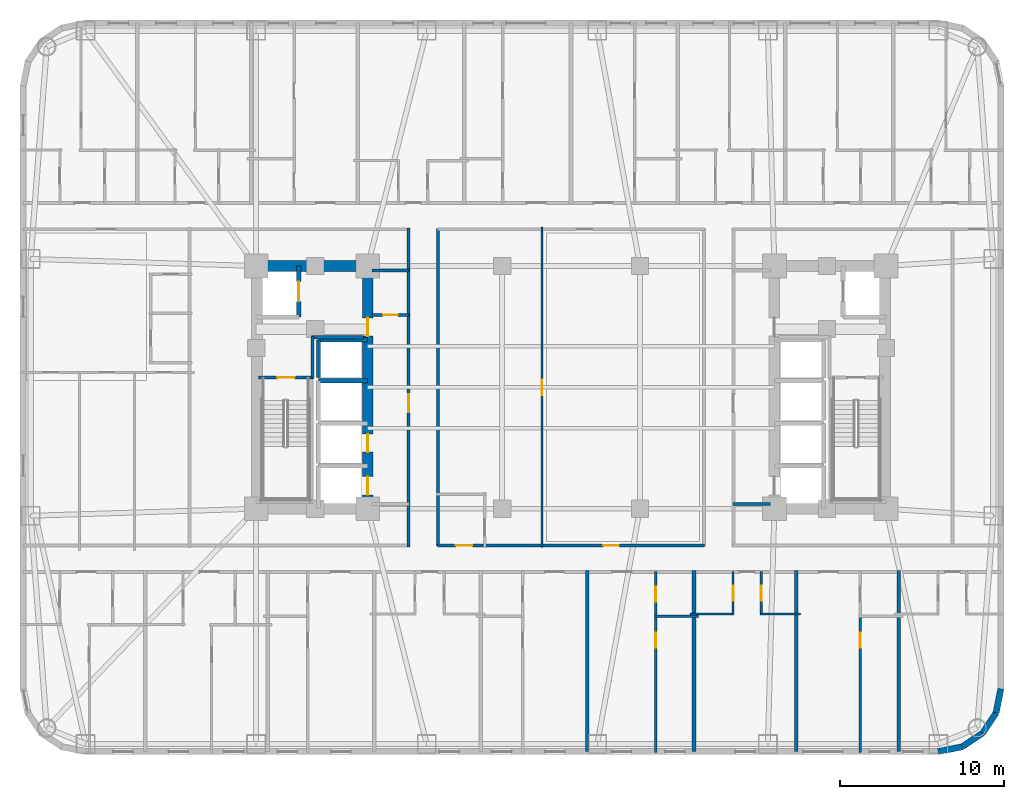
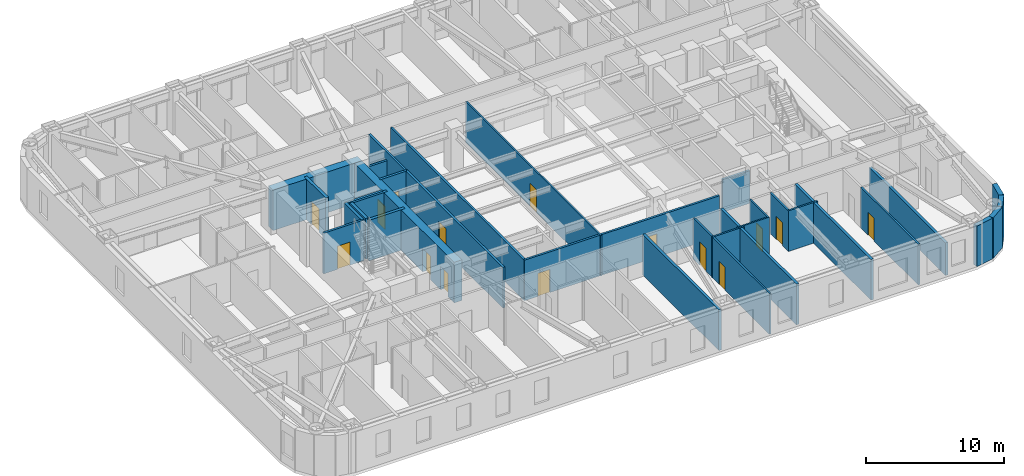
# One storey, part 5 of 11: 32 walls, 15 doors, 15 openings.
"""IFC4 building model written with IfcOpenShell, lengths in metres."""

import ifcopenshell
import ifcopenshell.guid

model = None  # the IFC model being written
_history = None  # IfcOwnerHistory: only IFC2X3 demands one
_inside = {}  # id of a spatial element -> (the spatial element, [elements in it])
_under = {}  # id of a project, library or spatial element -> (it, [spatial elements below it])
_declared = {}  # id of a project -> (the project, [libraries it declares])
_typed = {}  # id of a type object -> (the type object, [elements of that type])
_made_of = {}  # id of a material, layer set ... -> (it, [elements and type objects made of it])


def new_model(schema):
    """Start an empty IFC model of exactly this schema.

    Asked for "IFC4X3", IfcOpenShell would pick the latest addendum, in which some entities
    have other attributes; the version numbers below select the first issue.
    IFC2X3 requires an IfcOwnerHistory on every rooted entity: one is made here for all.
    """
    global model, _history
    if schema == "IFC4X3":
        model = ifcopenshell.file(schema_version=(4, 3, 0, 0))
    else:
        model = ifcopenshell.file(schema=schema)
    _inside.clear()
    _under.clear()
    _declared.clear()
    _typed.clear()
    _made_of.clear()
    _history = None
    if model.schema == "IFC2X3":
        org = make("IfcOrganization", Name="unknown")
        user = make(
            "IfcPersonAndOrganization",
            ThePerson=make("IfcPerson", FamilyName="unknown"),
            TheOrganization=org,
        )
        app = make(
            "IfcApplication",
            ApplicationDeveloper=org,
            Version="unknown",
            ApplicationFullName="unknown",
            ApplicationIdentifier="unknown",
        )
        _history = make(
            "IfcOwnerHistory",
            OwningUser=user,
            OwningApplication=app,
            ChangeAction="ADDED",
            CreationDate=0,
        )
    return model


def make(cls, **values):
    """One entity of the class cls with the attributes given. An attribute that is None is left unset."""
    return model.create_entity(
        cls, **{name: value for name, value in values.items() if value is not None}
    )


def rooted(cls, **values):
    """An entity with a GlobalId (a new one), such as an element, a storey or a relation."""
    return make(cls, GlobalId=ifcopenshell.guid.new(), OwnerHistory=_history, **values)


def si_unit(unit_type, name, prefix=None):
    """IfcSIUnit, for example si_unit("LENGTHUNIT", "METRE", prefix="MILLI")."""
    return make("IfcSIUnit", UnitType=unit_type, Prefix=prefix, Name=name)


def assignment(units):
    """IfcUnitAssignment: the units of a project."""
    return None if units is None else make("IfcUnitAssignment", Units=units)


def point(xyz):
    """IfcCartesianPoint."""
    return None if xyz is None else make("IfcCartesianPoint", Coordinates=xyz)


def direction(xyz):
    """IfcDirection."""
    return None if xyz is None else make("IfcDirection", DirectionRatios=xyz)


def frame(location, z_axis=None, x_axis=None):
    """IfcAxis2Placement3D, a coordinate frame: its origin and axes. An axis left out is left unset."""
    return make(
        "IfcAxis2Placement3D",
        Location=point(location),
        Axis=direction(z_axis),
        RefDirection=direction(x_axis),
    )


def frame_2d(location, x_axis=None):
    """IfcAxis2Placement2D, a coordinate frame in the plane: its origin and x axis."""
    return make(
        "IfcAxis2Placement2D", Location=point(location), RefDirection=direction(x_axis)
    )


def origin():
    """The frame at (0, 0, 0) with its axes left unset."""
    return frame((0.0, 0.0, 0.0))


def place(relative_to, where):
    """IfcLocalPlacement: puts the frame where relative to a parent placement (None: the world)."""
    return make(
        "IfcLocalPlacement", PlacementRelTo=relative_to, RelativePlacement=where
    )


def context(
    kind, dimensions, precision=None, world=None, true_north=None, identifier=None
):
    """IfcGeometricRepresentationContext, for example the 3D "Model" context."""
    return make(
        "IfcGeometricRepresentationContext",
        ContextIdentifier=identifier,
        ContextType=kind,
        CoordinateSpaceDimension=dimensions,
        Precision=precision,
        WorldCoordinateSystem=world,
        TrueNorth=true_north,
    )


def subcontext(parent, identifier, kind, view, scale=None):
    """IfcGeometricRepresentationSubContext, for example "Body" below "Model"."""
    return make(
        "IfcGeometricRepresentationSubContext",
        ContextIdentifier=identifier,
        ContextType=kind,
        ParentContext=parent,
        TargetScale=scale,
        TargetView=view,
    )


def project(units=None, contexts=None):
    """IfcProject with its units and contexts."""
    return rooted(
        "IfcProject",
        Name="project",
        RepresentationContexts=contexts,
        UnitsInContext=assignment(units),
    )


def spatial(cls, under=None, at=None, **own):
    """A site, building, storey or space (cls), placed at a placement, below another one or the project."""
    s = rooted(cls, ObjectPlacement=at, **own)
    if under is not None:
        _under.setdefault(under.id(), (under, []))[1].append(s)
    return s


def profile(cls, at=None, kind="AREA", **sizes):
    """A parametric profile (cls). Its sizes go by their IFC names, for example OverallWidth=200.0."""
    return make(cls, ProfileType=kind, Position=at, **sizes)


def rectangle(**sizes):
    """IfcRectangleProfileDef."""
    return profile("IfcRectangleProfileDef", **sizes)


def extrude(swept, where, along, depth):
    """IfcExtrudedAreaSolid: the profile swept, set in the frame where, extruded along a direction by depth."""
    return make(
        "IfcExtrudedAreaSolid",
        SweptArea=swept,
        Position=where,
        ExtrudedDirection=direction(along),
        Depth=depth,
    )


def shape(context_of_items, identifier, shape_type, items):
    """IfcShapeRepresentation: the items that make up one representation, for example the "Body"."""
    return make(
        "IfcShapeRepresentation",
        ContextOfItems=context_of_items,
        RepresentationIdentifier=identifier,
        RepresentationType=shape_type,
        Items=items,
    )


def material(Name=None, Category=None):
    """IfcMaterial."""
    return make("IfcMaterial", Name=Name, Category=Category)


def layer(
    of_material, thickness, ventilated=None, Name=None, Category=None, Priority=None
):
    """IfcMaterialLayer: one layer of a wall or slab, of a material (None: an air gap)."""
    return make(
        "IfcMaterialLayer",
        Material=of_material,
        LayerThickness=thickness,
        IsVentilated=ventilated,
        Name=Name,
        Category=Category,
        Priority=Priority,
    )


def layer_set(layers, Name=None):
    """IfcMaterialLayerSet."""
    return make("IfcMaterialLayerSet", MaterialLayers=layers, LayerSetName=Name)


def made_of(thing, what):
    """Note that an element or type object is made of a material, layer set ...; save() writes the relation."""
    if what is not None:
        _made_of.setdefault(what.id(), (what, []))[1].append(thing)
    return thing


def type_object(cls, material=None, **own):
    """A type object (cls), such as IfcWallType, which elements share."""
    return made_of(rooted(cls, **own), material)


def element(
    cls,
    number,
    at=None,
    inside=None,
    cuts=None,
    type_object=None,
    material=None,
    context=None,
    identifier="Body",
    shape_type=None,
    held_by="IfcProductDefinitionShape",
    body=None,
    shapes=None,
    **own,
):
    """One element of the class cls, such as IfcWall. Its Tag is "e" and its number.

    at: its placement. inside: the storey or other place that contains it. cuts: it is an
    opening in that element (IfcRelVoidsElement). A single representation is given by context,
    identifier, shape_type and body (its items); several are given by shapes. held_by: the class
    of the entity that holds the representations. save() writes the other relations.
    """
    e = rooted(cls, Tag="e%d" % number, ObjectPlacement=at, **own)
    if body is not None:
        shapes = [shape(context, identifier, shape_type, body)]
    if shapes is not None:
        e.Representation = make(held_by, Representations=shapes)
    if inside is not None:
        _inside.setdefault(inside.id(), (inside, []))[1].append(e)
    if cuts is not None:
        rooted(
            "IfcRelVoidsElement", RelatingBuildingElement=cuts, RelatedOpeningElement=e
        )
    if type_object is not None:
        _typed.setdefault(type_object.id(), (type_object, []))[1].append(e)
    return made_of(e, material)


def fill(opening, filler):
    """IfcRelFillsElement: the door or window that sits in an opening."""
    return rooted(
        "IfcRelFillsElement",
        RelatingOpeningElement=opening,
        RelatedBuildingElement=filler,
    )


def aggregate(whole, parts):
    """IfcRelAggregates: a whole, such as a stair, and the parts it consists of."""
    return rooted("IfcRelAggregates", RelatingObject=whole, RelatedObjects=parts)


def save(model, path):
    """Write the relations noted so far, then the file.

    IfcRelAggregates (storeys below a building ...), IfcRelContainedInSpatialStructure (elements
    in a storey), IfcRelDefinesByType, IfcRelAssociatesMaterial and IfcRelDeclares: one each for
    every whole, place, type object, material and project.
    """
    for whole, parts in _under.values():
        aggregate(whole, parts)
    for where, things in _inside.values():
        rooted(
            "IfcRelContainedInSpatialStructure",
            RelatedElements=things,
            RelatingStructure=where,
        )
    for kind, things in _typed.values():
        rooted("IfcRelDefinesByType", RelatedObjects=things, RelatingType=kind)
    for what, things in _made_of.values():
        rooted("IfcRelAssociatesMaterial", RelatedObjects=things, RelatingMaterial=what)
    for by, libraries in _declared.values():
        rooted("IfcRelDeclares", RelatingContext=by, RelatedDefinitions=libraries)
    model.write(path)


model = new_model("IFC4")

# Units and contexts
model_context = context("Model", 3, precision=1e-05, world=origin(), true_north=direction((0.0, 1.0)))
body_context = subcontext(model_context, "Body", "Model", "MODEL_VIEW")
ifc_project = project(units=[si_unit("LENGTHUNIT", "METRE"), si_unit("AREAUNIT", "SQUARE_METRE"), si_unit("VOLUMEUNIT", "CUBIC_METRE"), si_unit("PLANEANGLEUNIT", "RADIAN"), si_unit("MASSUNIT", "GRAM", prefix="KILO")], contexts=[model_context])

# Site, building, storey
site_placement = place(None, origin())
site = spatial("IfcSite", under=ifc_project, at=site_placement, CompositionType="ELEMENT")
building_placement = place(site_placement, origin())
building = spatial("IfcBuilding", under=site, at=building_placement, Name="Voryun Gate Residences", CompositionType="ELEMENT")
storey_placement = place(building_placement, frame((0.0, 0.0, 76.699951171875)))
storey = spatial("IfcBuildingStorey", under=building, at=storey_placement, Name="L18", CompositionType="ELEMENT", Elevation=76.699951171875)

# Wall
ifc_material_1 = material(Name="Concrete C60/75", Category="concrete")
ifc_layer_1 = layer(ifc_material_1, 0.64990234375, Name="CW_CORE_650")
ifc_layer_set_1 = layer_set([ifc_layer_1], Name="Concrete C60/75")
wall_type_1 = type_object("IfcWallType", Name="CW_CORE_650", PredefinedType="SHEAR", material=ifc_layer_set_1)
wall_1_placement = place(storey_placement, frame((-19.52490234375, 7.39990234375, 0.0), z_axis=(0.0, 0.0, 1.0), x_axis=(1.0, 0.0, 0.0)))
element("IfcWall", 1, at=wall_1_placement, inside=storey, type_object=wall_type_1, Name="L18 Core shear wall CW-L18-WN", PredefinedType="SHEAR", context=body_context, shape_type="SweptSolid", body=[
    extrude(rectangle(XDim=7.449951171875, YDim=0.64990234375, at=frame_2d((3.72509765625, 0.0))), origin(), (0.0, 0.0, 1.0), 3.60009765625),
])

# Wall, openings, doors
wall_2_placement = place(storey_placement, frame((-12.39990234375, -7.39990234375, 0.0), z_axis=(0.0, 0.0, 1.0), x_axis=(0.0, 1.0, 0.0)))
wall_2 = element("IfcWall", 2, at=wall_2_placement, inside=storey, type_object=wall_type_1, Name="L18 Core shear wall CW-L18-WE", PredefinedType="SHEAR", context=body_context, shape_type="SweptSolid", body=[
    extrude(rectangle(XDim=14.7998046875, YDim=0.64990234375, at=frame_2d((7.39990234375, 0.0))), origin(), (0.0, 0.0, 1.0), 3.60009765625),
])
opening_1_placement = place(wall_2_placement, frame((0.85009765625, 0.0, 0.0)))
opening_1 = element("IfcOpeningElement", 3, at=opening_1_placement, cuts=wall_2, Name="Opening LD2", PredefinedType="OPENING", context=body_context, shape_type="SweptSolid", body=[
    extrude(rectangle(XDim=1.10009765625, YDim=2.050048828125, at=frame_2d((0.550048828125, 1.02490234375))), frame((0.0, 0.3349609375, 0.0), z_axis=(0.0, -1.0, 0.0), x_axis=(1.0, 0.0, 0.0)), (0.0, 0.0, 1.0), 0.669921875),
])
opening_2_placement = place(wall_2_placement, frame((3.449951171875, 0.0, 0.0)))
opening_2 = element("IfcOpeningElement", 4, at=opening_2_placement, cuts=wall_2, Name="Opening LD2", PredefinedType="OPENING", context=body_context, shape_type="SweptSolid", body=[
    extrude(rectangle(XDim=1.10009765625, YDim=2.050048828125, at=frame_2d((0.550048828125, 1.02490234375))), frame((0.0, 0.3349609375, 0.0), z_axis=(0.0, -1.0, 0.0), x_axis=(1.0, 0.0, 0.0)), (0.0, 0.0, 1.0), 0.669921875),
])
opening_3_placement = place(wall_2_placement, frame((10.530029296875, 0.0, 0.0)))
opening_3 = element("IfcOpeningElement", 5, at=opening_3_placement, cuts=wall_2, Name="Opening D-FD60-2", PredefinedType="OPENING", context=body_context, shape_type="SweptSolid", body=[
    extrude(rectangle(XDim=1.10009765625, YDim=2.050048828125, at=frame_2d((0.550048828125, 1.02490234375))), frame((0.0, 0.3349609375, 0.0), z_axis=(0.0, -1.0, 0.0), x_axis=(1.0, 0.0, 0.0)), (0.0, 0.0, 1.0), 0.669921875),
])
ifc_material_2 = material(Name="Painted steel fire door", Category="steel")
door_type_1 = type_object("IfcDoorType", Name="DR_FD60_FFLOB_1100", OperationType="NOTDEFINED", PredefinedType="DOOR", material=ifc_material_2)
door_1_placement = place(opening_3_placement, origin())
door_1 = element("IfcDoor", 6, at=door_1_placement, inside=storey, type_object=door_type_1, Name="Door DR-L18-CLOB-W", OperationType="SINGLE_SWING_LEFT", OverallHeight=2.050048828125, OverallWidth=1.10009765625, PredefinedType="DOOR", context=body_context, shape_type="SweptSolid", body=[
    extrude(rectangle(XDim=1.10009765625, YDim=2.050048828125, at=frame_2d((0.550048828125, 1.02490234375))), frame((0.0, 0.02490234375, 0.0), z_axis=(0.0, -1.0, 0.0), x_axis=(1.0, 0.0, 0.0)), (0.0, 0.0, 1.0), 0.050048828125),
])
fill(opening_3, door_1)
ifc_material_3 = material(Name="Anodised aluminium", Category="aluminium")
door_type_2 = type_object("IfcDoorType", Name="DR_LD_PASS_1100", OperationType="NOTDEFINED", PredefinedType="DOOR", material=ifc_material_3)
door_2_placement = place(opening_1_placement, origin())
door_2 = element("IfcDoor", 7, at=door_2_placement, inside=storey, type_object=door_type_2, Name="Lift EL-P1 sliding landing door L18", OperationType="SLIDING_TO_LEFT", OverallHeight=2.050048828125, OverallWidth=1.10009765625, PredefinedType="DOOR", context=body_context, shape_type="SweptSolid", body=[
    extrude(rectangle(XDim=1.10009765625, YDim=2.050048828125, at=frame_2d((0.550048828125, 1.02490234375))), frame((0.0, 0.02490234375, 0.0), z_axis=(0.0, -1.0, 0.0), x_axis=(1.0, 0.0, 0.0)), (0.0, 0.0, 1.0), 0.050048828125),
])
fill(opening_1, door_2)
door_3_placement = place(opening_2_placement, origin())
door_3 = element("IfcDoor", 8, at=door_3_placement, inside=storey, type_object=door_type_2, Name="Lift EL-P2 sliding landing door L18", OperationType="SLIDING_TO_LEFT", OverallHeight=2.050048828125, OverallWidth=1.10009765625, PredefinedType="DOOR", context=body_context, shape_type="SweptSolid", body=[
    extrude(rectangle(XDim=1.10009765625, YDim=2.050048828125, at=frame_2d((0.550048828125, 1.02490234375))), frame((0.0, 0.02490234375, 0.0), z_axis=(0.0, -1.0, 0.0), x_axis=(1.0, 0.0, 0.0)), (0.0, 0.0, 1.0), 0.050048828125),
])
fill(opening_2, door_3)

# Wall, opening, door
ifc_material_4 = material(Name="Gypsum acoustic fireboard")
ifc_layer_2 = layer(ifc_material_4, 0.179931640625, Name="W_CORR_RATED_180")
ifc_layer_set_2 = layer_set([ifc_layer_2], Name="Gypsum acoustic fireboard")
wall_type_2 = type_object("IfcWallType", Name="W_CORR_RATED_180", PredefinedType="PARTITIONING", material=ifc_layer_set_2)
wall_3_placement = place(storey_placement, frame((-19.06005859375, 0.60009765625, 0.0), z_axis=(0.0, 0.0, 1.0), x_axis=(1.0, 0.0, 0.0)))
wall_3 = element("IfcWall", 9, at=wall_3_placement, inside=storey, type_object=wall_type_2, Name="Partition wall WP-L18-STV-W", PredefinedType="PARTITIONING", context=body_context, shape_type="SweptSolid", body=[
    extrude(rectangle(XDim=3.360107421875, YDim=0.179931640625, at=frame_2d((1.68017578125, 0.0))), origin(), (0.0, 0.0, 1.0), 3.60009765625),
])
opening_4_placement = place(wall_3_placement, frame((1.155029296875, 0.0, 0.0)))
opening_4 = element("IfcOpeningElement", 10, at=opening_4_placement, cuts=wall_3, Name="Opening D-FD60-1", PredefinedType="OPENING", context=body_context, shape_type="SweptSolid", body=[
    extrude(rectangle(XDim=1.050048828125, YDim=2.050048828125, at=frame_2d((0.52490234375, 1.02490234375))), frame((0.0, 0.099853515625, 0.0), z_axis=(0.0, -1.0, 0.0), x_axis=(1.0, 0.0, 0.0)), (0.0, 0.0, 1.0), 0.199951171875),
])
ifc_material_5 = material(Name="Painted steel fire door", Category="steel")
door_type_3 = type_object("IfcDoorType", Name="DR_FD60_STAIR_1050", OperationType="NOTDEFINED", PredefinedType="DOOR", material=ifc_material_5)
door_4_placement = place(opening_4_placement, origin())
door_4 = element("IfcDoor", 11, at=door_4_placement, inside=storey, type_object=door_type_3, Name="Door DR-L18-ST-W", OperationType="SINGLE_SWING_LEFT", OverallHeight=2.050048828125, OverallWidth=1.050048828125, PredefinedType="DOOR", context=body_context, shape_type="SweptSolid", body=[
    extrude(rectangle(XDim=1.050048828125, YDim=2.050048828125, at=frame_2d((0.52490234375, 1.02490234375))), frame((0.0, 0.02490234375, 0.0), z_axis=(0.0, -1.0, 0.0), x_axis=(1.0, 0.0, 0.0)), (0.0, 0.0, 1.0), 0.050048828125),
])
fill(opening_4, door_4)

# Walls
for number, where, z_axis, x_axis, name in (
    (12, (-12.14990234375, 7.1201171875, 0.0), (0.0, 0.0, 1.0), (1.0, 0.0, 0.0), "Partition wall WP-L18-PLBN-W"),
    (13, (9.8798828125, -7.1201171875, 0.0), (0.0, 0.0, 1.0), (1.0, 0.0, 0.0), "Partition wall WP-L18-PLBS-E"),
):
    element("IfcWall", number, at=place(storey_placement, frame(where, z_axis=z_axis, x_axis=x_axis)), inside=storey, type_object=wall_type_2, Name=name, PredefinedType="PARTITIONING", context=body_context, shape_type="SweptSolid", body=[
        extrude(rectangle(XDim=2.27001953125, YDim=0.179931640625, at=frame_2d((1.135009765625, 0.0))), origin(), (0.0, 0.0, 1.0), 2.89013671875),
    ])

# Wall, opening, door
wall_4_placement = place(storey_placement, frame((-9.89990234375, -9.72998046875, 0.0), z_axis=(0.0, 0.0, 1.0), x_axis=(0.0, 1.0, 0.0)))
wall_4 = element("IfcWall", 14, at=wall_4_placement, inside=storey, type_object=wall_type_2, Name="Partition wall WP-L18-PLBW-FULL", PredefinedType="PARTITIONING", context=body_context, shape_type="SweptSolid", body=[
    extrude(rectangle(XDim=19.4599609375, YDim=0.179931640625, at=frame_2d((9.72998046875, 0.0))), origin(), (0.0, 0.0, 1.0), 3.60009765625),
])
opening_5_placement = place(wall_4_placement, frame((8.20703125, 0.0, 0.0)))
opening_5 = element("IfcOpeningElement", 15, at=opening_5_placement, cuts=wall_4, Name="Opening D-FD60-2", PredefinedType="OPENING", context=body_context, shape_type="SweptSolid", body=[
    extrude(rectangle(XDim=1.10009765625, YDim=2.050048828125, at=frame_2d((0.550048828125, 1.02490234375))), frame((0.0, 0.099853515625, 0.0), z_axis=(0.0, -1.0, 0.0), x_axis=(1.0, 0.0, 0.0)), (0.0, 0.0, 1.0), 0.199951171875),
])
door_5_placement = place(opening_5_placement, origin())
door_5 = element("IfcDoor", 16, at=door_5_placement, inside=storey, type_object=door_type_1, Name="Door DR-L18-PLBW-COR", OperationType="SINGLE_SWING_LEFT", OverallHeight=2.050048828125, OverallWidth=1.10009765625, PredefinedType="DOOR", context=body_context, shape_type="SweptSolid", body=[
    extrude(rectangle(XDim=1.10009765625, YDim=2.050048828125, at=frame_2d((0.550048828125, 1.02490234375))), frame((0.0, 0.02490234375, 0.0), z_axis=(0.0, -1.0, 0.0), x_axis=(1.0, 0.0, 0.0)), (0.0, 0.0, 1.0), 0.050048828125),
])
fill(opening_5, door_5)

# Wall, openings, doors
wall_5_placement = place(storey_placement, frame((-8.14990234375, -9.639892578125, 0.0), z_axis=(0.0, 0.0, 1.0), x_axis=(1.0, 0.0, 0.0)))
wall_5 = element("IfcWall", 17, at=wall_5_placement, inside=storey, type_object=wall_type_2, Name="Partition wall WP-L18-Z1S", PredefinedType="PARTITIONING", context=body_context, shape_type="SweptSolid", body=[
    extrude(rectangle(XDim=16.2998046875, YDim=0.179931640625, at=frame_2d((8.14990234375, 0.0))), origin(), (0.0, 0.0, 1.0), 3.60009765625),
])
opening_6_placement = place(wall_5_placement, frame((1.1298828125, 0.0, 0.0)))
opening_6 = element("IfcOpeningElement", 18, at=opening_6_placement, cuts=wall_5, Name="Opening D-AWC-1", PredefinedType="OPENING", context=body_context, shape_type="SweptSolid", body=[
    extrude(rectangle(XDim=1.0, YDim=2.050048828125, at=frame_2d((0.5, 1.02490234375))), frame((0.0, 0.099853515625, 0.0), z_axis=(0.0, -1.0, 0.0), x_axis=(1.0, 0.0, 0.0)), (0.0, 0.0, 1.0), 0.199951171875),
])
opening_7_placement = place(wall_5_placement, frame((10.1201171875, 0.0, 0.0)))
opening_7 = element("IfcOpeningElement", 19, at=opening_7_placement, cuts=wall_5, Name="Opening D-INT-1", PredefinedType="OPENING", context=body_context, shape_type="SweptSolid", body=[
    extrude(rectangle(XDim=0.949951171875, YDim=2.050048828125, at=frame_2d((0.47509765625, 1.02490234375))), frame((0.0, 0.099853515625, 0.0), z_axis=(0.0, -1.0, 0.0), x_axis=(1.0, 0.0, 0.0)), (0.0, 0.0, 1.0), 0.199951171875),
])
ifc_material_6 = material(Name="Architectural oak veneer")
door_type_4 = type_object("IfcDoorType", Name="DR_ACC_WC_1000", OperationType="NOTDEFINED", PredefinedType="DOOR", material=ifc_material_6)
door_6_placement = place(opening_6_placement, origin())
door_6 = element("IfcDoor", 20, at=door_6_placement, inside=storey, type_object=door_type_4, Name="Door DR-L18-CMWC-D", OperationType="SINGLE_SWING_LEFT", OverallHeight=2.050048828125, OverallWidth=1.0, PredefinedType="DOOR", context=body_context, shape_type="SweptSolid", body=[
    extrude(rectangle(XDim=1.0, YDim=2.050048828125, at=frame_2d((0.5, 1.02490234375))), frame((0.0, 0.02490234375, 0.0), z_axis=(0.0, -1.0, 0.0), x_axis=(1.0, 0.0, 0.0)), (0.0, 0.0, 1.0), 0.050048828125),
])
fill(opening_6, door_6)
ifc_material_7 = material(Name="Architectural oak veneer")
door_type_5 = type_object("IfcDoorType", Name="DR_INT_ROOM_950", OperationType="NOTDEFINED", PredefinedType="DOOR", material=ifc_material_7)
door_7_placement = place(opening_7_placement, origin())
door_7 = element("IfcDoor", 21, at=door_7_placement, inside=storey, type_object=door_type_5, Name="Door DR-L18-CMIDZ1S", OperationType="SINGLE_SWING_RIGHT", OverallHeight=2.050048828125, OverallWidth=0.949951171875, PredefinedType="DOOR", context=body_context, shape_type="SweptSolid", body=[
    extrude(rectangle(XDim=0.949951171875, YDim=2.050048828125, at=frame_2d((0.47509765625, 1.02490234375))), frame((0.0, 0.02490234375, 0.0), z_axis=(0.0, -1.0, 0.0), x_axis=(1.0, 0.0, 0.0)), (0.0, 0.0, 1.0), 0.050048828125),
])
fill(opening_7, door_7)

# Walls
wall_6_placement = place(storey_placement, frame((-8.10009765625, -9.679931640625, 0.0), z_axis=(0.0, 0.0, 1.0), x_axis=(0.0, 1.0, 0.0)))
element("IfcWall", 22, at=wall_6_placement, inside=storey, type_object=wall_type_2, Name="Partition wall WP-L18-Z1W", PredefinedType="PARTITIONING", context=body_context, shape_type="SweptSolid", body=[
    extrude(rectangle(XDim=19.35986328125, YDim=0.179931640625, at=frame_2d((9.679931640625, 0.0))), origin(), (0.0, 0.0, 1.0), 3.60009765625),
])
ifc_material_8 = material(Name="Granite masonry", Category="masonry")
ifc_layer_3 = layer(ifc_material_8, 0.3798828125, Name="W_EXT_GRANITE_380")
ifc_layer_set_3 = layer_set([ifc_layer_3], Name="Granite masonry")
wall_type_3 = type_object("IfcWallType", Name="W_EXT_GRANITE_380", PredefinedType="ELEMENTEDWALL", material=ifc_layer_set_3)
wall_7_placement = place(storey_placement, frame((26.2099609375, -18.38134765625, 0.0), z_axis=(0.0, 0.0, 1.0), x_axis=(-0.195086038585, -0.980786132421, 0.0)))
element("IfcWall", 23, at=wall_7_placement, inside=storey, type_object=wall_type_3, Name="Exterior wall WEXT-L18-17", PredefinedType="ELEMENTEDWALL", context=body_context, shape_type="SweptSolid", body=[
    extrude(rectangle(XDim=1.504150390625, YDim=0.3798828125, at=frame_2d((0.751953125, 0.0))), origin(), (0.0, 0.0, 1.0), 3.60009765625),
])
for number, where, z_axis, x_axis, name in (
    (24, (25.91650390625, -19.856689453125, 0.0), (0.0, 0.0, 1.0), (-0.555686231674, -0.831392092774, 0.0), "Exterior wall WEXT-L18-18"),
    (25, (25.09130859375, -21.09130859375, 0.0), (0.0, 0.0, 1.0), (-0.831392092774, -0.555686231674, 0.0), "Exterior wall WEXT-L18-19"),
):
    element("IfcWall", number, at=place(storey_placement, frame(where, z_axis=z_axis, x_axis=x_axis)), inside=storey, type_object=wall_type_3, Name=name, PredefinedType="ELEMENTEDWALL", context=body_context, shape_type="SweptSolid", body=[
        extrude(rectangle(XDim=1.485107421875, YDim=0.3798828125, at=frame_2d((0.74267578125, 0.0))), origin(), (0.0, 0.0, 1.0), 3.60009765625),
    ])
wall_8_placement = place(storey_placement, frame((23.856689453125, -21.91650390625, 0.0), z_axis=(0.0, 0.0, 1.0), x_axis=(-0.980786132421, -0.195086038585, 0.0)))
element("IfcWall", 26, at=wall_8_placement, inside=storey, type_object=wall_type_3, Name="Exterior wall WEXT-L18-20", PredefinedType="ELEMENTEDWALL", context=body_context, shape_type="SweptSolid", body=[
    extrude(rectangle(XDim=1.504150390625, YDim=0.3798828125, at=frame_2d((0.751953125, 0.0))), origin(), (0.0, 0.0, 1.0), 3.60009765625),
])
ifc_material_9 = material(Name="Concrete C40/50", Category="concrete")
ifc_layer_4 = layer(ifc_material_9, 0.199951171875, Name="W_FF_LOBBY_200")
ifc_layer_set_4 = layer_set([ifc_layer_4], Name="Concrete C40/50")
wall_type_4 = type_object("IfcWallType", Name="W_FF_LOBBY_200", PredefinedType="PARTITIONING", material=ifc_layer_set_4)
wall_9_placement = place(storey_placement, frame((-15.760009765625, 0.580078125, 0.0), z_axis=(0.0, 0.0, 1.0), x_axis=(0.0, 1.0, 0.0)))
element("IfcWall", 27, at=wall_9_placement, inside=storey, type_object=wall_type_4, Name="Partition wall WP-L18-FFP0-W", PredefinedType="PARTITIONING", context=body_context, shape_type="SweptSolid", body=[
    extrude(rectangle(XDim=2.52001953125, YDim=0.199951171875, at=frame_2d((1.260009765625, 0.0))), origin(), (0.0, 0.0, 1.0), 3.60009765625),
])
wall_10_placement = place(storey_placement, frame((-15.820068359375, 3.06005859375, 0.0), z_axis=(0.0, 0.0, 1.0), x_axis=(1.0, 0.0, 0.0)))
element("IfcWall", 28, at=wall_10_placement, inside=storey, type_object=wall_type_4, Name="Partition wall WP-L18-FFPS-W", PredefinedType="PARTITIONING", context=body_context, shape_type="SweptSolid", body=[
    extrude(rectangle(XDim=3.16015625, YDim=0.199951171875, at=frame_2d((1.580078125, 0.0))), origin(), (0.0, 0.0, 1.0), 3.60009765625),
])

# Wall, opening, door
wall_11_placement = place(storey_placement, frame((-12.14990234375, 4.409912109375, 0.0), z_axis=(0.0, 0.0, 1.0), x_axis=(1.0, 0.0, 0.0)))
wall_11 = element("IfcWall", 29, at=wall_11_placement, inside=storey, type_object=wall_type_4, Name="Partition wall WP-L18-CSFLKS-W", PredefinedType="PARTITIONING", context=body_context, shape_type="SweptSolid", body=[
    extrude(rectangle(XDim=2.27001953125, YDim=0.199951171875, at=frame_2d((1.135009765625, 0.0))), origin(), (0.0, 0.0, 1.0), 3.60009765625),
])
opening_8_placement = place(wall_11_placement, frame((0.68505859375, 0.0, 0.0)))
opening_8 = element("IfcOpeningElement", 30, at=opening_8_placement, cuts=wall_11, Name="Opening D-FD60-4", PredefinedType="OPENING", context=body_context, shape_type="SweptSolid", body=[
    extrude(rectangle(XDim=0.89990234375, YDim=2.050048828125, at=frame_2d((0.449951171875, 1.02490234375))), frame((0.0, 0.110107421875, 0.0), z_axis=(0.0, -1.0, 0.0), x_axis=(1.0, 0.0, 0.0)), (0.0, 0.0, 1.0), 0.219970703125),
])
ifc_material_10 = material(Name="Painted steel fire door", Category="steel")
door_type_6 = type_object("IfcDoorType", Name="DR_FD60_RISER_900", OperationType="NOTDEFINED", PredefinedType="DOOR", material=ifc_material_10)
door_8_placement = place(opening_8_placement, origin())
door_8 = element("IfcDoor", 31, at=door_8_placement, inside=storey, type_object=door_type_6, Name="Door DR-L18-CSFLK-W", OperationType="SINGLE_SWING_LEFT", OverallHeight=2.050048828125, OverallWidth=0.89990234375, PredefinedType="DOOR", context=body_context, shape_type="SweptSolid", body=[
    extrude(rectangle(XDim=0.89990234375, YDim=2.050048828125, at=frame_2d((0.449951171875, 1.02490234375))), frame((0.0, 0.02490234375, 0.0), z_axis=(0.0, -1.0, 0.0), x_axis=(1.0, 0.0, 0.0)), (0.0, 0.0, 1.0), 0.050048828125),
])
fill(opening_8, door_8)

# Walls
ifc_material_11 = material(Name="Concrete C40/50", Category="concrete")
ifc_layer_5 = layer(ifc_material_11, 0.219970703125, Name="W_PARTY_ACOUSTIC_220")
ifc_layer_set_5 = layer_set([ifc_layer_5], Name="Concrete C40/50")
wall_type_5 = type_object("IfcWallType", Name="W_PARTY_ACOUSTIC_220", PredefinedType="PARTITIONING", material=ifc_layer_set_5)
for number, where, z_axis, x_axis, name in (
    (32, (1.0, -22.2099609375, 0.0), (0.0, 0.0, 1.0), (0.0, 1.0, 0.0), "Partition wall WP-L18-SPTY-5"),
    (33, (7.5, -22.2099609375, 0.0), (0.0, 0.0, 1.0), (0.0, 1.0, 0.0), "Partition wall WP-L18-SPTY-6"),
    (34, (13.739013671875, -22.2099609375, 0.0), (0.0, 0.0, 1.0), (0.0, 1.0, 0.0), "Partition wall WP-L18-SPTY-7"),
):
    element("IfcWall", number, at=place(storey_placement, frame(where, z_axis=z_axis, x_axis=x_axis)), inside=storey, type_object=wall_type_5, Name=name, PredefinedType="PARTITIONING", context=body_context, shape_type="SweptSolid", body=[
        extrude(rectangle(XDim=11.0400390625, YDim=0.219970703125, at=frame_2d((5.52001953125, 0.0))), origin(), (0.0, 0.0, 1.0), 3.60009765625),
    ])
wall_12_placement = place(storey_placement, frame((19.97802734375, -22.2099609375, 0.0), z_axis=(0.0, 0.0, 1.0), x_axis=(0.0, 1.0, 0.0)))
element("IfcWall", 35, at=wall_12_placement, inside=storey, type_object=wall_type_5, Name="Partition wall WP-L18-SPTY-8", PredefinedType="PARTITIONING", context=body_context, shape_type="SweptSolid", body=[
    extrude(rectangle(XDim=11.0400390625, YDim=0.219970703125, at=frame_2d((5.52001953125, 0.0))), origin(), (0.0, 0.0, 1.0), 2.89013671875),
])

# Wall, opening, door
ifc_material_12 = material(Name="Concrete C50/60", Category="concrete")
ifc_layer_6 = layer(ifc_material_12, 0.25, Name="W_SHAFT_RC250")
ifc_layer_set_6 = layer_set([ifc_layer_6], Name="Concrete C50/60")
wall_type_6 = type_object("IfcWallType", Name="W_SHAFT_RC250", PredefinedType="SOLIDWALL", material=ifc_layer_set_6)
wall_13_placement = place(storey_placement, frame((-16.60009765625, 4.300048828125, 0.0), z_axis=(0.0, 0.0, 1.0), x_axis=(0.0, 1.0, 0.0)))
wall_13 = element("IfcWall", 36, at=wall_13_placement, inside=storey, type_object=wall_type_6, Name="Lift shaft wall WSH-L18-EL-FF-W1-E", PredefinedType="SOLIDWALL", context=body_context, shape_type="SweptSolid", body=[
    extrude(rectangle(XDim=3.099853515625, YDim=0.25, at=frame_2d((1.5498046875, 0.0))), origin(), (0.0, 0.0, 1.0), 3.60009765625),
])
opening_9_placement = place(wall_13_placement, frame((0.949951171875, 0.0, 0.0)))
opening_9 = element("IfcOpeningElement", 37, at=opening_9_placement, cuts=wall_13, Name="Opening LD1", PredefinedType="OPENING", context=body_context, shape_type="SweptSolid", body=[
    extrude(rectangle(XDim=1.199951171875, YDim=2.050048828125, at=frame_2d((0.60009765625, 1.02490234375))), frame((0.0, 0.135009765625, 0.0), z_axis=(0.0, -1.0, 0.0), x_axis=(1.0, 0.0, 0.0)), (0.0, 0.0, 1.0), 0.27001953125),
])
ifc_material_13 = material(Name="Anodised aluminium", Category="aluminium")
door_type_7 = type_object("IfcDoorType", Name="DR_LD_FF_1200", OperationType="NOTDEFINED", PredefinedType="DOOR", material=ifc_material_13)
door_9_placement = place(opening_9_placement, origin())
door_9 = element("IfcDoor", 38, at=door_9_placement, inside=storey, type_object=door_type_7, Name="Lift EL-FF-W1 sliding landing door L18", OperationType="SLIDING_TO_LEFT", OverallHeight=2.050048828125, OverallWidth=1.199951171875, PredefinedType="DOOR", context=body_context, shape_type="SweptSolid", body=[
    extrude(rectangle(XDim=1.199951171875, YDim=2.050048828125, at=frame_2d((0.60009765625, 1.02490234375))), frame((0.0, 0.02490234375, 0.0), z_axis=(0.0, -1.0, 0.0), x_axis=(1.0, 0.0, 0.0)), (0.0, 0.0, 1.0), 0.050048828125),
])
fill(opening_9, door_9)

# Walls
for number, where, z_axis, x_axis, name in (
    (39, (-12.39990234375, 0.39990234375, 0.0), (0.0, 0.0, 1.0), (-1.0, 0.0, 0.0), "Lift shaft wall WSH-L18-EL-P4-N"),
    (40, (-12.39990234375, 2.89990234375, 0.0), (0.0, 0.0, 1.0), (-1.0, 0.0, 0.0), "Lift shaft wall WSH-L18-EL-P7-N"),
):
    element("IfcWall", number, at=place(storey_placement, frame(where, z_axis=z_axis, x_axis=x_axis)), inside=storey, type_object=wall_type_6, Name=name, PredefinedType="SOLIDWALL", context=body_context, shape_type="SweptSolid", body=[
        extrude(rectangle(XDim=3.0, YDim=0.25, at=frame_2d((1.5, 0.0))), origin(), (0.0, 0.0, 1.0), 3.60009765625),
    ])
wall_14_placement = place(storey_placement, frame((-15.39990234375, 2.89990234375, 0.0), z_axis=(0.0, 0.0, 1.0), x_axis=(0.0, -1.0, 0.0)))
element("IfcWall", 41, at=wall_14_placement, inside=storey, type_object=wall_type_6, Name="Lift shaft wall WSH-L18-EL-P7-W", PredefinedType="SOLIDWALL", context=body_context, shape_type="SweptSolid", body=[
    extrude(rectangle(XDim=2.2998046875, YDim=0.25, at=frame_2d((1.14990234375, 0.0))), origin(), (0.0, 0.0, 1.0), 3.60009765625),
])

# Wall, opening, door
ifc_material_14 = material(Name="Gypsum acoustic partition")
ifc_layer_7 = layer(ifc_material_14, 0.125, Name="W_UNIT_PART_125")
ifc_layer_set_7 = layer_set([ifc_layer_7], Name="Gypsum acoustic partition")
wall_type_7 = type_object("IfcWallType", Name="W_UNIT_PART_125", PredefinedType="PARTITIONING", material=ifc_layer_set_7)
wall_15_placement = place(storey_placement, frame((-1.77294921875, -9.77001953125, 0.0), z_axis=(0.0, 0.0, 1.0), x_axis=(0.0, 1.0, 0.0)))
wall_15 = element("IfcWall", 42, at=wall_15_placement, inside=storey, type_object=wall_type_7, Name="Partition wall WP-L18-MIDX-0", PredefinedType="PARTITIONING", context=body_context, shape_type="SweptSolid", body=[
    extrude(rectangle(XDim=19.5400390625, YDim=0.125, at=frame_2d((9.77001953125, 0.0))), origin(), (0.0, 0.0, 1.0), 3.60009765625),
])
opening_10_placement = place(wall_15_placement, frame((9.294921875, 0.0, 0.0)))
opening_10 = element("IfcOpeningElement", 43, at=opening_10_placement, cuts=wall_15, Name="Opening D-INT-1", PredefinedType="OPENING", context=body_context, shape_type="SweptSolid", body=[
    extrude(rectangle(XDim=0.949951171875, YDim=2.050048828125, at=frame_2d((0.47509765625, 1.02490234375))), frame((0.0, 0.072509765625, 0.0), z_axis=(0.0, -1.0, 0.0), x_axis=(1.0, 0.0, 0.0)), (0.0, 0.0, 1.0), 0.14501953125),
])
door_10_placement = place(opening_10_placement, origin())
door_10 = element("IfcDoor", 44, at=door_10_placement, inside=storey, type_object=door_type_5, Name="Door DR-L18-MIDX-0", OperationType="SINGLE_SWING_LEFT", OverallHeight=2.050048828125, OverallWidth=0.949951171875, PredefinedType="DOOR", context=body_context, shape_type="SweptSolid", body=[
    extrude(rectangle(XDim=0.949951171875, YDim=2.050048828125, at=frame_2d((0.47509765625, 1.02490234375))), frame((0.0, 0.02490234375, 0.0), z_axis=(0.0, -1.0, 0.0), x_axis=(1.0, 0.0, 0.0)), (0.0, 0.0, 1.0), 0.050048828125),
])
fill(opening_10, door_10)

wall_16_placement = place(storey_placement, frame((9.885009765625, -13.8798828125, 0.0), z_axis=(0.0, 0.0, 1.0), x_axis=(0.0, 1.0, 0.0)))
wall_16 = element("IfcWall", 45, at=wall_16_placement, inside=storey, type_object=wall_type_7, Name="Partition wall WP-L18-S7-CVK", PredefinedType="PARTITIONING", context=body_context, shape_type="SweptSolid", body=[
    extrude(rectangle(XDim=2.64990234375, YDim=0.125, at=frame_2d((1.324951171875, 0.0))), origin(), (0.0, 0.0, 1.0), 3.60009765625),
])
opening_11_placement = place(wall_16_placement, frame((0.875, 0.0, 0.0)))
opening_11 = element("IfcOpeningElement", 46, at=opening_11_placement, cuts=wall_16, Name="Opening D-INT-2", PredefinedType="OPENING", context=body_context, shape_type="SweptSolid", body=[
    extrude(rectangle(XDim=0.89990234375, YDim=2.050048828125, at=frame_2d((0.449951171875, 1.02490234375))), frame((0.0, 0.072509765625, 0.0), z_axis=(0.0, -1.0, 0.0), x_axis=(1.0, 0.0, 0.0)), (0.0, 0.0, 1.0), 0.14501953125),
])
ifc_material_15 = material(Name="Architectural oak veneer")
door_type_8 = type_object("IfcDoorType", Name="DR_INT_BATH_900", OperationType="NOTDEFINED", PredefinedType="DOOR", material=ifc_material_15)
door_11_placement = place(opening_11_placement, origin())
door_11 = element("IfcDoor", 47, at=door_11_placement, inside=storey, type_object=door_type_8, Name="Door DR-L18-S7-DK", OperationType="SINGLE_SWING_LEFT", OverallHeight=2.050048828125, OverallWidth=0.89990234375, PredefinedType="DOOR", context=body_context, shape_type="SweptSolid", body=[
    extrude(rectangle(XDim=0.89990234375, YDim=2.050048828125, at=frame_2d((0.449951171875, 1.02490234375))), frame((0.0, 0.02490234375, 0.0), z_axis=(0.0, -1.0, 0.0), x_axis=(1.0, 0.0, 0.0)), (0.0, 0.0, 1.0), 0.050048828125),
])
fill(opening_11, door_11)

# Walls
wall_17_placement = place(storey_placement, frame((7.239990234375, -13.820068359375, 0.0), z_axis=(0.0, 0.0, 1.0), x_axis=(1.0, 0.0, 0.0)))
element("IfcWall", 48, at=wall_17_placement, inside=storey, type_object=wall_type_7, Name="Partition wall WP-L18-S7-CHK", PredefinedType="PARTITIONING", context=body_context, shape_type="SweptSolid", body=[
    extrude(rectangle(XDim=2.705078125, YDim=0.125, at=frame_2d((1.3525390625, 0.0))), origin(), (0.0, 0.0, 1.0), 3.60009765625),
])
ifc_material_16 = material(Name="Gypsum moisture-resistant partition")
ifc_layer_8 = layer(ifc_material_16, 0.14990234375, Name="W_WET_PLUMB_150")
ifc_layer_set_8 = layer_set([ifc_layer_8], Name="Gypsum moisture-resistant partition")
wall_type_8 = type_object("IfcWallType", Name="W_WET_PLUMB_150", PredefinedType="PLUMBINGWALL", material=ifc_layer_set_8)
wall_18_placement = place(storey_placement, frame((5.089111328125, -13.949951171875, 0.0), z_axis=(0.0, 0.0, 1.0), x_axis=(1.0, 0.0, 0.0)))
element("IfcWall", 49, at=wall_18_placement, inside=storey, type_object=wall_type_8, Name="Partition wall WP-L18-S6-SKB", PredefinedType="PLUMBINGWALL", context=body_context, shape_type="SweptSolid", body=[
    extrude(rectangle(XDim=2.6708984375, YDim=0.14990234375, at=frame_2d((1.33544921875, 0.0))), origin(), (0.0, 0.0, 1.0), 3.60009765625),
])

# Wall, opening, door
wall_19_placement = place(storey_placement, frame((5.1689453125, -22.257568359375, 0.0), z_axis=(0.0, 0.0, 1.0), x_axis=(0.0, 1.0, 0.0)))
wall_19 = element("IfcWall", 50, at=wall_19_placement, inside=storey, type_object=wall_type_8, Name="Partition wall WP-L18-S6-SVT1", PredefinedType="PLUMBINGWALL", context=body_context, shape_type="SweptSolid", body=[
    extrude(rectangle(XDim=8.34765625, YDim=0.14990234375, at=frame_2d((4.173828125, 0.0))), origin(), (0.0, 0.0, 1.0), 3.60009765625),
])
opening_12_placement = place(wall_19_placement, frame((6.39501953125, 0.0, 0.0)))
opening_12 = element("IfcOpeningElement", 51, at=opening_12_placement, cuts=wall_19, Name="Opening D-INT-2", PredefinedType="OPENING", context=body_context, shape_type="SweptSolid", body=[
    extrude(rectangle(XDim=0.89990234375, YDim=2.050048828125, at=frame_2d((0.449951171875, 1.02490234375))), frame((0.0, 0.0849609375, 0.0), z_axis=(0.0, -1.0, 0.0), x_axis=(1.0, 0.0, 0.0)), (0.0, 0.0, 1.0), 0.169921875),
])
door_12_placement = place(opening_12_placement, origin())
door_12 = element("IfcDoor", 52, at=door_12_placement, inside=storey, type_object=door_type_8, Name="Door DR-L18-S6-DK", OperationType="SINGLE_SWING_LEFT", OverallHeight=2.050048828125, OverallWidth=0.89990234375, PredefinedType="DOOR", context=body_context, shape_type="SweptSolid", body=[
    extrude(rectangle(XDim=0.89990234375, YDim=2.050048828125, at=frame_2d((0.449951171875, 1.02490234375))), frame((0.0, 0.02490234375, 0.0), z_axis=(0.0, -1.0, 0.0), x_axis=(1.0, 0.0, 0.0)), (0.0, 0.0, 1.0), 0.050048828125),
])
fill(opening_12, door_12)

wall_20_placement = place(storey_placement, frame((5.1689453125, -13.989990234375, 0.0), z_axis=(0.0, 0.0, 1.0), x_axis=(0.0, 1.0, 0.0)))
wall_20 = element("IfcWall", 53, at=wall_20_placement, inside=storey, type_object=wall_type_8, Name="Partition wall WP-L18-S6-SVT2", PredefinedType="PLUMBINGWALL", context=body_context, shape_type="SweptSolid", body=[
    extrude(rectangle(XDim=2.760009765625, YDim=0.14990234375, at=frame_2d((1.3798828125, 0.0))), origin(), (0.0, 0.0, 1.0), 3.60009765625),
])
opening_13_placement = place(wall_20_placement, frame((0.929931640625, 0.0, 0.0)))
opening_13 = element("IfcOpeningElement", 54, at=opening_13_placement, cuts=wall_20, Name="Opening D-INT-2", PredefinedType="OPENING", context=body_context, shape_type="SweptSolid", body=[
    extrude(rectangle(XDim=0.89990234375, YDim=2.050048828125, at=frame_2d((0.449951171875, 1.02490234375))), frame((0.0, 0.0849609375, 0.0), z_axis=(0.0, -1.0, 0.0), x_axis=(1.0, 0.0, 0.0)), (0.0, 0.0, 1.0), 0.169921875),
])
door_13_placement = place(opening_13_placement, origin())
door_13 = element("IfcDoor", 55, at=door_13_placement, inside=storey, type_object=door_type_8, Name="Door DR-L18-S6-DB", OperationType="SINGLE_SWING_RIGHT", OverallHeight=2.050048828125, OverallWidth=0.89990234375, PredefinedType="DOOR", context=body_context, shape_type="SweptSolid", body=[
    extrude(rectangle(XDim=0.89990234375, YDim=2.050048828125, at=frame_2d((0.449951171875, 1.02490234375))), frame((0.0, 0.02490234375, 0.0), z_axis=(0.0, -1.0, 0.0), x_axis=(1.0, 0.0, 0.0)), (0.0, 0.0, 1.0), 0.050048828125),
])
fill(opening_13, door_13)

wall_21_placement = place(storey_placement, frame((11.59912109375, -13.8798828125, 0.0), z_axis=(0.0, 0.0, 1.0), x_axis=(0.0, 1.0, 0.0)))
wall_21 = element("IfcWall", 56, at=wall_21_placement, inside=storey, type_object=wall_type_8, Name="Partition wall WP-L18-S7-CVB", PredefinedType="PLUMBINGWALL", context=body_context, shape_type="SweptSolid", body=[
    extrude(rectangle(XDim=2.64990234375, YDim=0.14990234375, at=frame_2d((1.324951171875, 0.0))), origin(), (0.0, 0.0, 1.0), 3.60009765625),
])
opening_14_placement = place(wall_21_placement, frame((0.875, 0.0, 0.0)))
opening_14 = element("IfcOpeningElement", 57, at=opening_14_placement, cuts=wall_21, Name="Opening D-INT-2", PredefinedType="OPENING", context=body_context, shape_type="SweptSolid", body=[
    extrude(rectangle(XDim=0.89990234375, YDim=2.050048828125, at=frame_2d((0.449951171875, 1.02490234375))), frame((0.0, 0.0849609375, 0.0), z_axis=(0.0, -1.0, 0.0), x_axis=(1.0, 0.0, 0.0)), (0.0, 0.0, 1.0), 0.169921875),
])
door_14_placement = place(opening_14_placement, origin())
door_14 = element("IfcDoor", 58, at=door_14_placement, inside=storey, type_object=door_type_8, Name="Door DR-L18-S7-DB", OperationType="SINGLE_SWING_RIGHT", OverallHeight=2.050048828125, OverallWidth=0.89990234375, PredefinedType="DOOR", context=body_context, shape_type="SweptSolid", body=[
    extrude(rectangle(XDim=0.89990234375, YDim=2.050048828125, at=frame_2d((0.449951171875, 1.02490234375))), frame((0.0, 0.02490234375, 0.0), z_axis=(0.0, -1.0, 0.0), x_axis=(1.0, 0.0, 0.0)), (0.0, 0.0, 1.0), 0.050048828125),
])
fill(opening_14, door_14)

# Wall
wall_22_placement = place(storey_placement, frame((11.5390625, -13.820068359375, 0.0), z_axis=(0.0, 0.0, 1.0), x_axis=(1.0, 0.0, 0.0)))
element("IfcWall", 59, at=wall_22_placement, inside=storey, type_object=wall_type_8, Name="Partition wall WP-L18-S7-CHB", PredefinedType="PLUMBINGWALL", context=body_context, shape_type="SweptSolid", body=[
    extrude(rectangle(XDim=2.4599609375, YDim=0.14990234375, at=frame_2d((1.22998046875, 0.0))), origin(), (0.0, 0.0, 1.0), 3.60009765625),
])

# Wall, opening, door
wall_23_placement = place(storey_placement, frame((17.635986328125, -22.257568359375, 0.0), z_axis=(0.0, 0.0, 1.0), x_axis=(0.0, 1.0, 0.0)))
wall_23 = element("IfcWall", 60, at=wall_23_placement, inside=storey, type_object=wall_type_8, Name="Partition wall WP-L18-S8-SVT1", PredefinedType="PLUMBINGWALL", context=body_context, shape_type="SweptSolid", body=[
    extrude(rectangle(XDim=8.34765625, YDim=0.14990234375, at=frame_2d((4.173828125, 0.0))), origin(), (0.0, 0.0, 1.0), 3.60009765625),
])
opening_15_placement = place(wall_23_placement, frame((6.39501953125, 0.0, 0.0)))
opening_15 = element("IfcOpeningElement", 61, at=opening_15_placement, cuts=wall_23, Name="Opening D-INT-2", PredefinedType="OPENING", context=body_context, shape_type="SweptSolid", body=[
    extrude(rectangle(XDim=0.89990234375, YDim=2.050048828125, at=frame_2d((0.449951171875, 1.02490234375))), frame((0.0, 0.0849609375, 0.0), z_axis=(0.0, -1.0, 0.0), x_axis=(1.0, 0.0, 0.0)), (0.0, 0.0, 1.0), 0.169921875),
])
door_15_placement = place(opening_15_placement, origin())
door_15 = element("IfcDoor", 62, at=door_15_placement, inside=storey, type_object=door_type_8, Name="Door DR-L18-S8-DK", OperationType="SINGLE_SWING_LEFT", OverallHeight=2.050048828125, OverallWidth=0.89990234375, PredefinedType="DOOR", context=body_context, shape_type="SweptSolid", body=[
    extrude(rectangle(XDim=0.89990234375, YDim=2.050048828125, at=frame_2d((0.449951171875, 1.02490234375))), frame((0.0, 0.02490234375, 0.0), z_axis=(0.0, -1.0, 0.0), x_axis=(1.0, 0.0, 0.0)), (0.0, 0.0, 1.0), 0.050048828125),
])
fill(opening_15, door_15)

save(model, "model.ifc")
